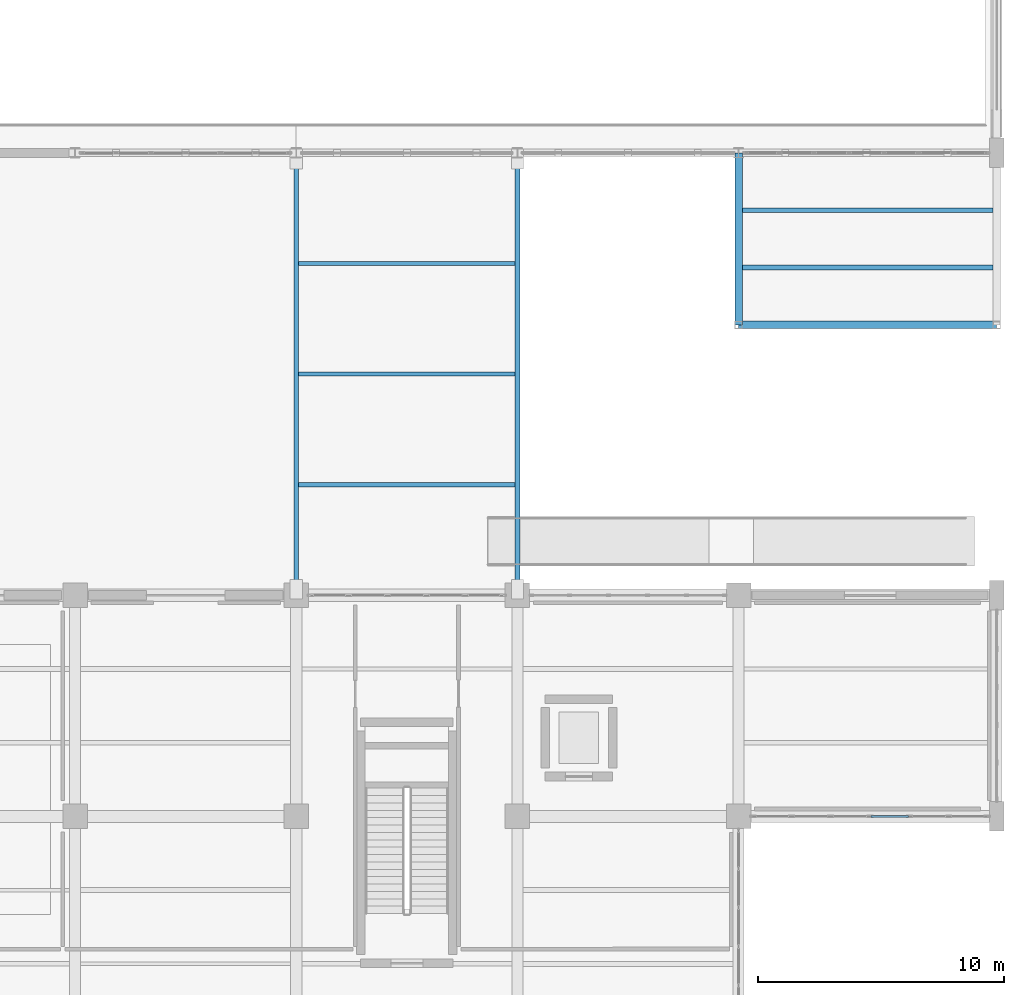
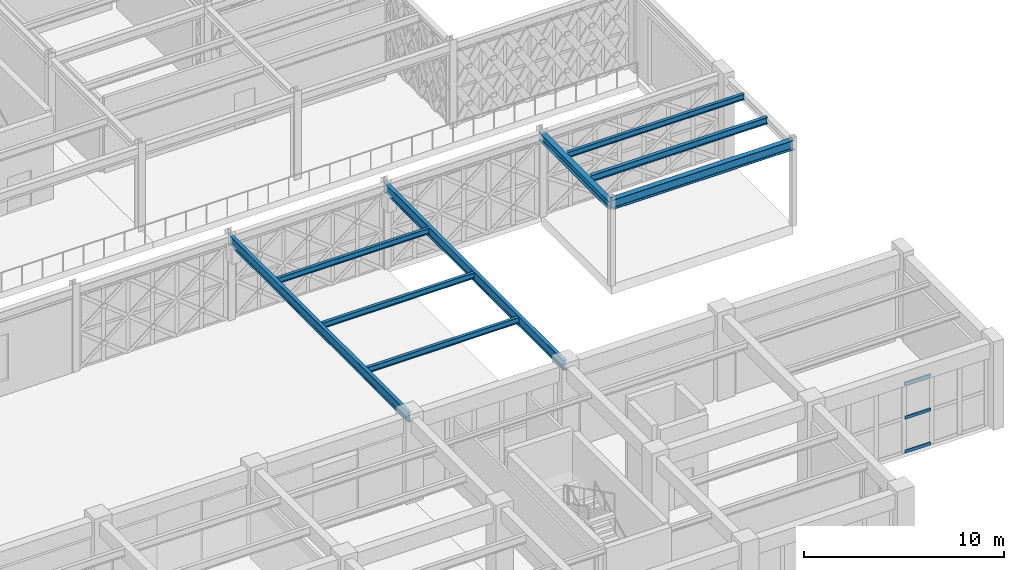
# One storey, part 85 of 140: 9 beams, 3 members, 1 element without a shape of its own.
"""IFC4 building model written with IfcOpenShell, lengths in metres."""

from ifc_helpers import new_model, si_unit, direction, frame, origin, origin_2d, place, context, subcontext, project, spatial, hollow_rectangle, i_section, extrude, material, material_profile, profile_set, type_object, element, aggregate, save


model = new_model("IFC4")

# Units and contexts
model_context = context("Model", 3, precision=1e-05, world=origin(), true_north=direction((0.0, 1.0)))
body_context = subcontext(model_context, "Body", "Model", "MODEL_VIEW")
ifc_project = project(units=[si_unit("LENGTHUNIT", "METRE"), si_unit("AREAUNIT", "SQUARE_METRE"), si_unit("VOLUMEUNIT", "CUBIC_METRE"), si_unit("PLANEANGLEUNIT", "RADIAN"), si_unit("MASSUNIT", "GRAM", prefix="KILO")], contexts=[model_context])

# Site, building, storey
site_placement = place(None, origin())
site = spatial("IfcSite", under=ifc_project, at=site_placement, CompositionType="ELEMENT")
building_placement = place(site_placement, origin())
building = spatial("IfcBuilding", under=site, at=building_placement, Name="Haizhuo Lancet Aquarium", CompositionType="ELEMENT")
storey_placement = place(building_placement, origin())
storey = spatial("IfcBuildingStorey", under=building, at=storey_placement, Name="L00", CompositionType="ELEMENT", Elevation=0.0)

# Beams
ifc_material_1 = material(Name="Steel S355", Category="steel")
ifc_material_profile_1 = material_profile(ifc_material_1, i_section(OverallWidth=0.300048828125, OverallDepth=0.488037109375, WebThickness=0.010986328125, FlangeThickness=0.01806640625, FilletRadius=0.02392578125, at=origin_2d()), Name="HM 488x300x11x18")
ifc_profile_set_1 = profile_set([ifc_material_profile_1], Name="Steel S355")
beam_type_1 = type_object("IfcBeamType", Name="BM-ST-HM488", PredefinedType="BEAM", material=ifc_profile_set_1)
beam_1_placement = place(storey_placement, frame((72.0, 2.0, 4.8759765625), z_axis=(0.0, 1.0, 0.0), x_axis=(-1.0, 0.0, 0.0)))
element("IfcBeam", 1, at=beam_1_placement, inside=storey, type_object=beam_type_1, Name="L00 V7 primary girder BM-L00-V7-023", PredefinedType="BEAM", context=body_context, shape_type="SweptSolid", body=[
    extrude(i_section(OverallWidth=0.300048828125, OverallDepth=0.488037109375, WebThickness=0.010986328125, FlangeThickness=0.01806640625, FilletRadius=0.02392578125, at=origin_2d()), origin(), (0.0, 0.0, 1.0), 7.0),
])
ifc_material_profile_2 = material_profile(ifc_material_1, i_section(OverallWidth=0.300048828125, OverallDepth=0.587890625, WebThickness=0.011962890625, FlangeThickness=0.02001953125, FilletRadius=0.02587890625, at=origin_2d()), Name="HM 588x300x12x20")
ifc_profile_set_2 = profile_set([ifc_material_profile_2], Name="Steel S355")
beam_type_2 = type_object("IfcBeamType", Name="BM-ST-HM588", PredefinedType="BEAM", material=ifc_profile_set_2)
beam_2_placement = place(storey_placement, frame((72.0, 2.0, 4.9560546875), z_axis=(1.0, 0.0, 0.0), x_axis=(0.0, 1.0, 0.0)))
element("IfcBeam", 2, at=beam_2_placement, inside=storey, type_object=beam_type_2, Name="L00 V7 primary girder BM-L00-V7-024", PredefinedType="BEAM", context=body_context, shape_type="SweptSolid", body=[
    extrude(i_section(OverallWidth=0.300048828125, OverallDepth=0.587890625, WebThickness=0.011962890625, FlangeThickness=0.02001953125, FilletRadius=0.02587890625, at=origin_2d()), origin(), (0.0, 0.0, 1.0), 10.5),
])
ifc_material_profile_3 = material_profile(ifc_material_1, i_section(OverallWidth=0.199951171875, OverallDepth=0.60009765625, WebThickness=0.010986328125, FlangeThickness=0.01708984375, FilletRadius=0.02197265625, at=origin_2d()), Name="HN 600x200x11x17")
ifc_profile_set_3 = profile_set([ifc_material_profile_3], Name="Steel S355")
beam_type_3 = type_object("IfcBeamType", Name="BM-ST-HN600", PredefinedType="BEAM", material=ifc_profile_set_3)
for number, where, z_axis, x_axis, name in (
    (3, (54.0, -9.0, 4.8798828125), (0.0, 1.0, 0.0), (-1.0, 0.0, 0.0), "Glazed bridge longitudinal girder SB-02 1"),
    (4, (63.0, -9.0, 4.8798828125), (0.0, 1.0, 0.0), (-1.0, 0.0, 0.0), "Glazed bridge longitudinal girder SB-02 2"),
):
    element("IfcBeam", number, at=place(storey_placement, frame(where, z_axis=z_axis, x_axis=x_axis)), inside=storey, type_object=beam_type_3, Name=name, PredefinedType="BEAM", context=body_context, shape_type="SweptSolid", body=[
        extrude(i_section(OverallWidth=0.199951171875, OverallDepth=0.60009765625, WebThickness=0.010986328125, FlangeThickness=0.01708984375, FilletRadius=0.02197265625, at=origin_2d()), origin(), (0.0, 0.0, 1.0), 18.0),
    ])

# Curtain wall, members
ifc_material_2 = material(Name="Aluminium 6063-T6", Category="aluminium")
curtain_wall_type = type_object("IfcCurtainWallType", Name="CWO-9610x4220", PredefinedType="NOTDEFINED", material=ifc_material_2)
curtain_wall_placement = place(storey_placement, origin())
curtain_wall = element("IfcCurtainWall", 5, at=curtain_wall_placement, inside=storey, type_object=curtain_wall_type, Name="L00 curtain wall CW-V3-L00-033", PredefinedType="NOTDEFINED")
ifc_material_profile_4 = material_profile(ifc_material_2, hollow_rectangle(XDim=0.080078125, YDim=0.18994140625, WallThickness=0.0048828125, at=origin_2d()), Name="ALU-T 80x190x5")
ifc_profile_set_4 = profile_set([ifc_material_profile_4], Name="Aluminium 6063-T6")
member_type = type_object("IfcMemberType", Name="CW-TRN-3", PredefinedType="NOTDEFINED", material=ifc_profile_set_4)
member_1_placement = place(storey_placement, frame((78.912109375, -18.0, 0.0400390625), z_axis=(-1.0, 0.0, 0.0), x_axis=(0.0, -1.0, 0.0)))
member_1 = element("IfcMember", 6, at=member_1_placement, type_object=member_type, Name="CWO-96x42 transom 3.1", ObjectType="TRANSOM", PredefinedType="USERDEFINED", context=body_context, shape_type="SweptSolid", body=[
    extrude(hollow_rectangle(XDim=0.080078125, YDim=0.18994140625, WallThickness=0.0048828125, at=origin_2d()), origin(), (0.0, 0.0, 1.0), 1.522216796875),
])
member_2_placement = place(storey_placement, frame((78.912109375, -18.0, 2.110107421875), z_axis=(-1.0, 0.0, 0.0), x_axis=(0.0, -1.0, 0.0)))
member_2 = element("IfcMember", 7, at=member_2_placement, type_object=member_type, Name="CWO-96x42 transom 3.2", ObjectType="TRANSOM", PredefinedType="USERDEFINED", context=body_context, shape_type="SweptSolid", body=[
    extrude(hollow_rectangle(XDim=0.080078125, YDim=0.18994140625, WallThickness=0.0048828125, at=origin_2d()), origin(), (0.0, 0.0, 1.0), 1.522216796875),
])
member_3_placement = place(storey_placement, frame((78.912109375, -18.0, 4.179931640625), z_axis=(-1.0, 0.0, 0.0), x_axis=(0.0, -1.0, 0.0)))
member_3 = element("IfcMember", 8, at=member_3_placement, type_object=member_type, Name="CWO-96x42 transom 3.3", ObjectType="TRANSOM", PredefinedType="USERDEFINED", context=body_context, shape_type="SweptSolid", body=[
    extrude(hollow_rectangle(XDim=0.080078125, YDim=0.18994140625, WallThickness=0.0048828125, at=origin_2d()), origin(), (0.0, 0.0, 1.0), 1.522216796875),
])
aggregate(curtain_wall, [member_1, member_2, member_3])

# Beams
ifc_material_profile_5 = material_profile(ifc_material_1, i_section(OverallWidth=0.175048828125, OverallDepth=0.35009765625, WebThickness=0.007080078125, FlangeThickness=0.010986328125, FilletRadius=0.013916015625, at=origin_2d()), Name="HN 350x175x7x11")
ifc_profile_set_5 = profile_set([ifc_material_profile_5], Name="Steel S355")
beam_type_4 = type_object("IfcBeamType", Name="JST-ST-HN350", PredefinedType="JOIST", material=ifc_profile_set_5)
beam_3_placement = place(storey_placement, frame((72.14990234375, 6.6669921875, 5.074951171875), z_axis=(1.0, 0.0, 0.0), x_axis=(0.0, 1.0, 0.0)))
element("IfcBeam", 9, at=beam_3_placement, inside=storey, type_object=beam_type_4, Name="L00 V7 secondary floor joist 12", PredefinedType="JOIST", context=body_context, shape_type="SweptSolid", body=[
    extrude(i_section(OverallWidth=0.175048828125, OverallDepth=0.35009765625, WebThickness=0.007080078125, FlangeThickness=0.010986328125, FilletRadius=0.013916015625, at=origin_2d()), origin(), (0.0, 0.0, 1.0), 10.2001953125),
])
for number, where, z_axis, x_axis, name in (
    (10, (54.10009765625, -4.5, 5.0048828125), (1.0, 0.0, 0.0), (0.0, 1.0, 0.0), "Glazed bridge floor joist SB-02 1"),
    (11, (54.10009765625, 0.0, 5.0048828125), (1.0, 0.0, 0.0), (0.0, 1.0, 0.0), "Glazed bridge floor joist SB-02 2"),
    (12, (54.10009765625, 4.5, 5.0048828125), (1.0, 0.0, 0.0), (0.0, 1.0, 0.0), "Glazed bridge floor joist SB-02 3"),
):
    element("IfcBeam", number, at=place(storey_placement, frame(where, z_axis=z_axis, x_axis=x_axis)), inside=storey, type_object=beam_type_4, Name=name, PredefinedType="JOIST", context=body_context, shape_type="SweptSolid", body=[
        extrude(i_section(OverallWidth=0.175048828125, OverallDepth=0.35009765625, WebThickness=0.007080078125, FlangeThickness=0.010986328125, FilletRadius=0.013916015625, at=origin_2d()), origin(), (0.0, 0.0, 1.0), 8.7998046875),
    ])
ifc_material_profile_6 = material_profile(ifc_material_1, i_section(OverallWidth=0.199951171875, OverallDepth=0.39990234375, WebThickness=0.008056640625, FlangeThickness=0.012939453125, FilletRadius=0.01611328125, at=origin_2d()), Name="HN 400x200x8x13")
ifc_profile_set_6 = profile_set([ifc_material_profile_6], Name="Steel S355")
beam_type_5 = type_object("IfcBeamType", Name="JST-ST-HN400", PredefinedType="JOIST", material=ifc_profile_set_6)
beam_4_placement = place(storey_placement, frame((72.14990234375, 4.3330078125, 5.050048828125), z_axis=(1.0, 0.0, 0.0), x_axis=(0.0, 1.0, 0.0)))
element("IfcBeam", 13, at=beam_4_placement, inside=storey, type_object=beam_type_5, Name="L00 V7 secondary floor joist 11", PredefinedType="JOIST", context=body_context, shape_type="SweptSolid", body=[
    extrude(i_section(OverallWidth=0.199951171875, OverallDepth=0.39990234375, WebThickness=0.008056640625, FlangeThickness=0.012939453125, FilletRadius=0.01611328125, at=origin_2d()), origin(), (0.0, 0.0, 1.0), 10.2001953125),
])

save(model, "model.ifc")
